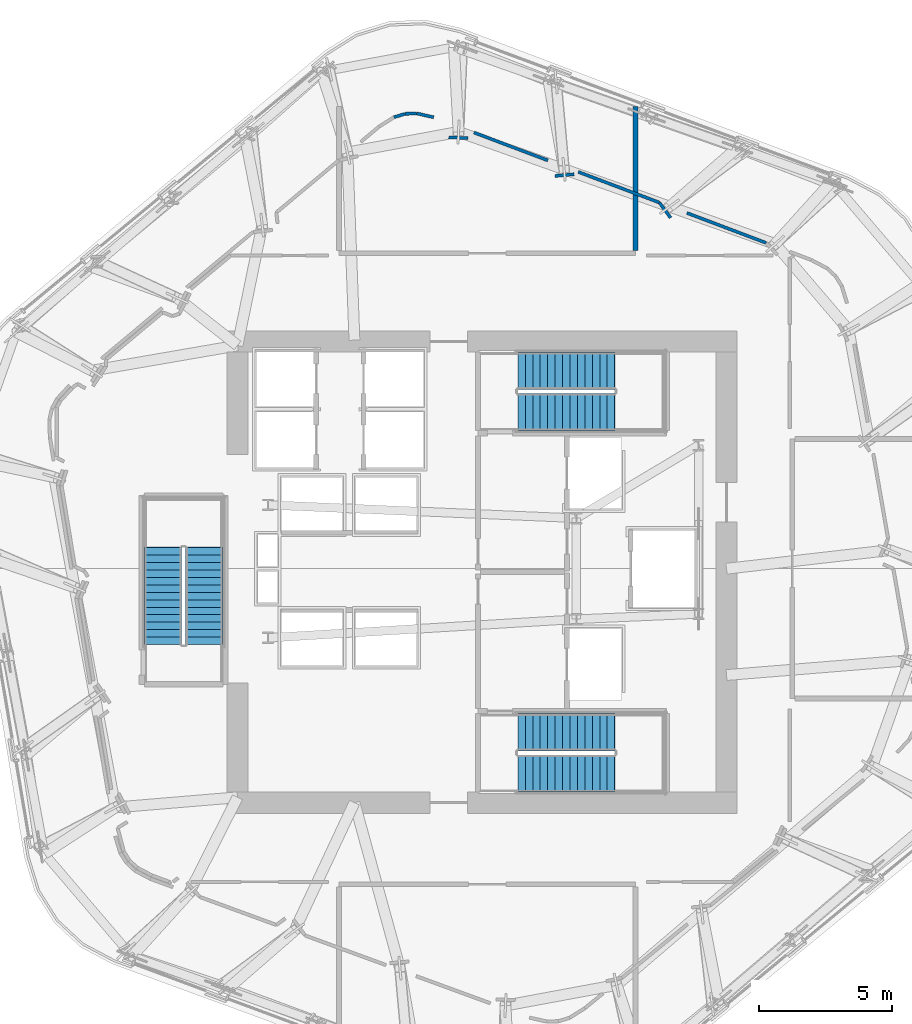
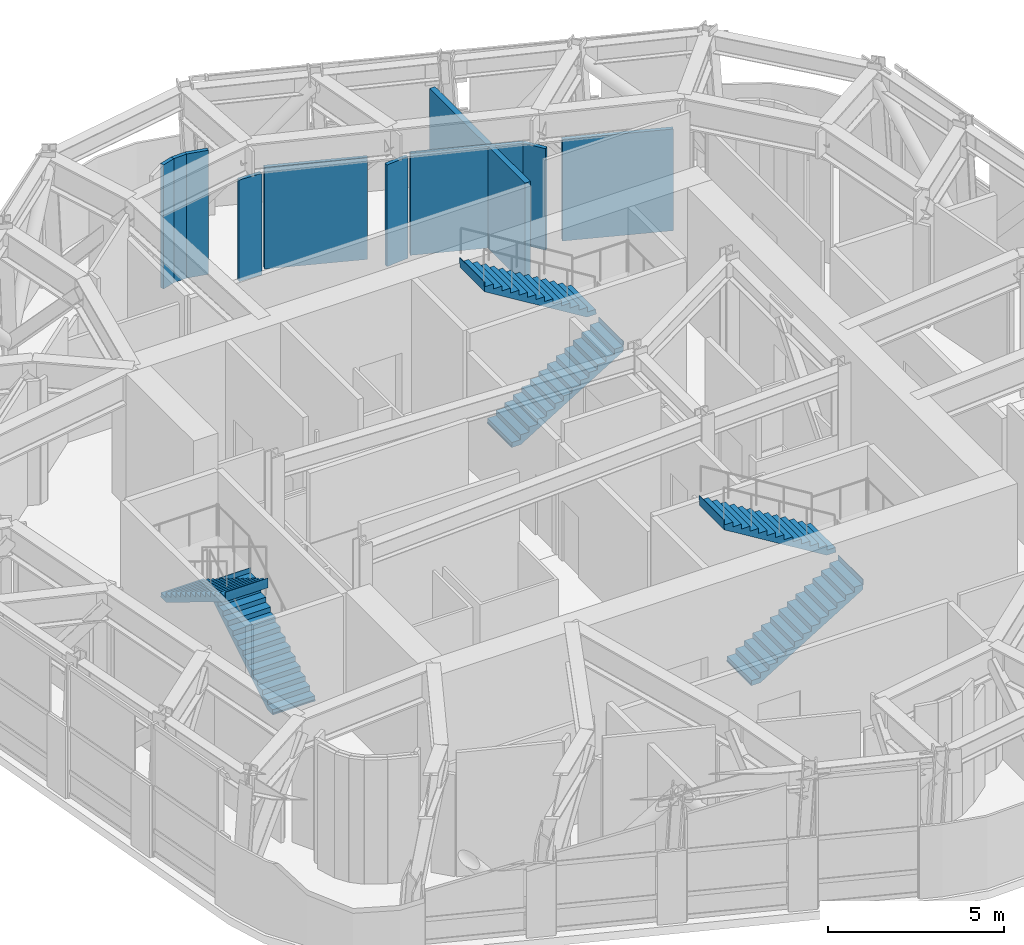
# One storey, part 12 of 16: 10 walls, 6 stair flights, 3 elements without a shape of their own.
"""IFC4 building model written with IfcOpenShell, lengths in metres."""

import ifcopenshell
import ifcopenshell.guid

model = None  # the IFC model being written
_history = None  # IfcOwnerHistory: only IFC2X3 demands one
_inside = {}  # id of a spatial element -> (the spatial element, [elements in it])
_under = {}  # id of a project, library or spatial element -> (it, [spatial elements below it])
_declared = {}  # id of a project -> (the project, [libraries it declares])
_typed = {}  # id of a type object -> (the type object, [elements of that type])
_made_of = {}  # id of a material, layer set ... -> (it, [elements and type objects made of it])


def new_model(schema):
    """Start an empty IFC model of exactly this schema.

    Asked for "IFC4X3", IfcOpenShell would pick the latest addendum, in which some entities
    have other attributes; the version numbers below select the first issue.
    IFC2X3 requires an IfcOwnerHistory on every rooted entity: one is made here for all.
    """
    global model, _history
    if schema == "IFC4X3":
        model = ifcopenshell.file(schema_version=(4, 3, 0, 0))
    else:
        model = ifcopenshell.file(schema=schema)
    _inside.clear()
    _under.clear()
    _declared.clear()
    _typed.clear()
    _made_of.clear()
    _history = None
    if model.schema == "IFC2X3":
        org = make("IfcOrganization", Name="unknown")
        user = make(
            "IfcPersonAndOrganization",
            ThePerson=make("IfcPerson", FamilyName="unknown"),
            TheOrganization=org,
        )
        app = make(
            "IfcApplication",
            ApplicationDeveloper=org,
            Version="unknown",
            ApplicationFullName="unknown",
            ApplicationIdentifier="unknown",
        )
        _history = make(
            "IfcOwnerHistory",
            OwningUser=user,
            OwningApplication=app,
            ChangeAction="ADDED",
            CreationDate=0,
        )
    return model


def make(cls, **values):
    """One entity of the class cls with the attributes given. An attribute that is None is left unset."""
    return model.create_entity(
        cls, **{name: value for name, value in values.items() if value is not None}
    )


def rooted(cls, **values):
    """An entity with a GlobalId (a new one), such as an element, a storey or a relation."""
    return make(cls, GlobalId=ifcopenshell.guid.new(), OwnerHistory=_history, **values)


def si_unit(unit_type, name, prefix=None):
    """IfcSIUnit, for example si_unit("LENGTHUNIT", "METRE", prefix="MILLI")."""
    return make("IfcSIUnit", UnitType=unit_type, Prefix=prefix, Name=name)


def assignment(units):
    """IfcUnitAssignment: the units of a project."""
    return None if units is None else make("IfcUnitAssignment", Units=units)


def point(xyz):
    """IfcCartesianPoint."""
    return None if xyz is None else make("IfcCartesianPoint", Coordinates=xyz)


def direction(xyz):
    """IfcDirection."""
    return None if xyz is None else make("IfcDirection", DirectionRatios=xyz)


def frame(location, z_axis=None, x_axis=None):
    """IfcAxis2Placement3D, a coordinate frame: its origin and axes. An axis left out is left unset."""
    return make(
        "IfcAxis2Placement3D",
        Location=point(location),
        Axis=direction(z_axis),
        RefDirection=direction(x_axis),
    )


def frame_2d(location, x_axis=None):
    """IfcAxis2Placement2D, a coordinate frame in the plane: its origin and x axis."""
    return make(
        "IfcAxis2Placement2D", Location=point(location), RefDirection=direction(x_axis)
    )


def origin():
    """The frame at (0, 0, 0) with its axes left unset."""
    return frame((0.0, 0.0, 0.0))


def place(relative_to, where):
    """IfcLocalPlacement: puts the frame where relative to a parent placement (None: the world)."""
    return make(
        "IfcLocalPlacement", PlacementRelTo=relative_to, RelativePlacement=where
    )


def context(
    kind, dimensions, precision=None, world=None, true_north=None, identifier=None
):
    """IfcGeometricRepresentationContext, for example the 3D "Model" context."""
    return make(
        "IfcGeometricRepresentationContext",
        ContextIdentifier=identifier,
        ContextType=kind,
        CoordinateSpaceDimension=dimensions,
        Precision=precision,
        WorldCoordinateSystem=world,
        TrueNorth=true_north,
    )


def subcontext(parent, identifier, kind, view, scale=None):
    """IfcGeometricRepresentationSubContext, for example "Body" below "Model"."""
    return make(
        "IfcGeometricRepresentationSubContext",
        ContextIdentifier=identifier,
        ContextType=kind,
        ParentContext=parent,
        TargetScale=scale,
        TargetView=view,
    )


def project(units=None, contexts=None):
    """IfcProject with its units and contexts."""
    return rooted(
        "IfcProject",
        Name="project",
        RepresentationContexts=contexts,
        UnitsInContext=assignment(units),
    )


def spatial(cls, under=None, at=None, **own):
    """A site, building, storey or space (cls), placed at a placement, below another one or the project."""
    s = rooted(cls, ObjectPlacement=at, **own)
    if under is not None:
        _under.setdefault(under.id(), (under, []))[1].append(s)
    return s


def polyline(points):
    """IfcPolyline through the points."""
    return make("IfcPolyline", Points=[point(p) for p in points])


def profile(cls, at=None, kind="AREA", **sizes):
    """A parametric profile (cls). Its sizes go by their IFC names, for example OverallWidth=200.0."""
    return make(cls, ProfileType=kind, Position=at, **sizes)


def rectangle(**sizes):
    """IfcRectangleProfileDef."""
    return profile("IfcRectangleProfileDef", **sizes)


def outline(outer, holes=None, kind="AREA"):
    """IfcArbitraryClosedProfileDef: a profile drawn as a closed curve; with holes, ...WithVoids."""
    if holes is None:
        return make("IfcArbitraryClosedProfileDef", ProfileType=kind, OuterCurve=outer)
    return make(
        "IfcArbitraryProfileDefWithVoids",
        ProfileType=kind,
        OuterCurve=outer,
        InnerCurves=holes,
    )


def extrude(swept, where, along, depth):
    """IfcExtrudedAreaSolid: the profile swept, set in the frame where, extruded along a direction by depth."""
    return make(
        "IfcExtrudedAreaSolid",
        SweptArea=swept,
        Position=where,
        ExtrudedDirection=direction(along),
        Depth=depth,
    )


def shape(context_of_items, identifier, shape_type, items):
    """IfcShapeRepresentation: the items that make up one representation, for example the "Body"."""
    return make(
        "IfcShapeRepresentation",
        ContextOfItems=context_of_items,
        RepresentationIdentifier=identifier,
        RepresentationType=shape_type,
        Items=items,
    )


def material(Name=None, Category=None):
    """IfcMaterial."""
    return make("IfcMaterial", Name=Name, Category=Category)


def layer(
    of_material, thickness, ventilated=None, Name=None, Category=None, Priority=None
):
    """IfcMaterialLayer: one layer of a wall or slab, of a material (None: an air gap)."""
    return make(
        "IfcMaterialLayer",
        Material=of_material,
        LayerThickness=thickness,
        IsVentilated=ventilated,
        Name=Name,
        Category=Category,
        Priority=Priority,
    )


def layer_set(layers, Name=None):
    """IfcMaterialLayerSet."""
    return make("IfcMaterialLayerSet", MaterialLayers=layers, LayerSetName=Name)


def made_of(thing, what):
    """Note that an element or type object is made of a material, layer set ...; save() writes the relation."""
    if what is not None:
        _made_of.setdefault(what.id(), (what, []))[1].append(thing)
    return thing


def type_object(cls, material=None, **own):
    """A type object (cls), such as IfcWallType, which elements share."""
    return made_of(rooted(cls, **own), material)


def element(
    cls,
    number,
    at=None,
    inside=None,
    cuts=None,
    type_object=None,
    material=None,
    context=None,
    identifier="Body",
    shape_type=None,
    held_by="IfcProductDefinitionShape",
    body=None,
    shapes=None,
    **own,
):
    """One element of the class cls, such as IfcWall. Its Tag is "e" and its number.

    at: its placement. inside: the storey or other place that contains it. cuts: it is an
    opening in that element (IfcRelVoidsElement). A single representation is given by context,
    identifier, shape_type and body (its items); several are given by shapes. held_by: the class
    of the entity that holds the representations. save() writes the other relations.
    """
    e = rooted(cls, Tag="e%d" % number, ObjectPlacement=at, **own)
    if body is not None:
        shapes = [shape(context, identifier, shape_type, body)]
    if shapes is not None:
        e.Representation = make(held_by, Representations=shapes)
    if inside is not None:
        _inside.setdefault(inside.id(), (inside, []))[1].append(e)
    if cuts is not None:
        rooted(
            "IfcRelVoidsElement", RelatingBuildingElement=cuts, RelatedOpeningElement=e
        )
    if type_object is not None:
        _typed.setdefault(type_object.id(), (type_object, []))[1].append(e)
    return made_of(e, material)


def aggregate(whole, parts):
    """IfcRelAggregates: a whole, such as a stair, and the parts it consists of."""
    return rooted("IfcRelAggregates", RelatingObject=whole, RelatedObjects=parts)


def save(model, path):
    """Write the relations noted so far, then the file.

    IfcRelAggregates (storeys below a building ...), IfcRelContainedInSpatialStructure (elements
    in a storey), IfcRelDefinesByType, IfcRelAssociatesMaterial and IfcRelDeclares: one each for
    every whole, place, type object, material and project.
    """
    for whole, parts in _under.values():
        aggregate(whole, parts)
    for where, things in _inside.values():
        rooted(
            "IfcRelContainedInSpatialStructure",
            RelatedElements=things,
            RelatingStructure=where,
        )
    for kind, things in _typed.values():
        rooted("IfcRelDefinesByType", RelatedObjects=things, RelatingType=kind)
    for what, things in _made_of.values():
        rooted("IfcRelAssociatesMaterial", RelatedObjects=things, RelatingMaterial=what)
    for by, libraries in _declared.values():
        rooted("IfcRelDeclares", RelatingContext=by, RelatedDefinitions=libraries)
    model.write(path)


model = new_model("IFC4")

# Units and contexts
model_context = context("Model", 3, precision=1e-05, world=origin(), true_north=direction((0.0, 1.0)))
body_context = subcontext(model_context, "Body", "Model", "MODEL_VIEW")
ifc_project = project(units=[si_unit("LENGTHUNIT", "METRE"), si_unit("AREAUNIT", "SQUARE_METRE"), si_unit("VOLUMEUNIT", "CUBIC_METRE"), si_unit("PLANEANGLEUNIT", "RADIAN"), si_unit("MASSUNIT", "GRAM", prefix="KILO")], contexts=[model_context])

# Site, building, storey
site_placement = place(None, origin())
site = spatial("IfcSite", under=ifc_project, at=site_placement, CompositionType="ELEMENT")
building_placement = place(site_placement, origin())
building = spatial("IfcBuilding", under=site, at=building_placement, Name="Valkerne Bourse Tower", CompositionType="ELEMENT")
storey_placement = place(building_placement, frame((0.0, 0.0, 193.199951171875)))
storey = spatial("IfcBuildingStorey", under=building, at=storey_placement, Name="L49", CompositionType="ELEMENT", Elevation=193.199951171875)

# Walls
ifc_material_1 = material(Name="Gypsum Board Steel-Stud Partition", Category="steel")
ifc_layer_1 = layer(ifc_material_1, 0.117919921875)
ifc_layer_set_1 = layer_set([ifc_layer_1], Name="Gypsum Board Steel-Stud Partition")
wall_type_1 = type_object("IfcWallType", Name="W-CORR-140", PredefinedType="PARTITIONING", material=ifc_layer_set_1)
wall_1_placement = place(storey_placement, frame((43.488525390625, 43.9873046875, 0.0), z_axis=(0.0, 0.0, 1.0), x_axis=(0.955766894646, 0.294125216699, 0.0)))
element("IfcWall", 1, at=wall_1_placement, inside=storey, type_object=wall_type_1, Name="L49 L49 Outrigger Truss Gallery Ring Wall", PredefinedType="PARTITIONING", context=body_context, shape_type="SweptSolid", body=[
    extrude(rectangle(XDim=0.435791015625, YDim=0.117919921875, at=frame_2d((0.2177734375, 0.0))), origin(), (0.0, 0.0, 1.0), 4.300048828125),
])
wall_2_placement = place(storey_placement, frame((43.905029296875, 44.115478515625, 0.0), z_axis=(0.0, 0.0, 1.0), x_axis=(0.999317132555, 0.036949541036, 0.0)))
element("IfcWall", 2, at=wall_2_placement, inside=storey, type_object=wall_type_1, Name="L49 L49 Outrigger Truss Gallery Ring Wall", PredefinedType="PARTITIONING", context=body_context, shape_type="SweptSolid", body=[
    extrude(rectangle(XDim=0.43603515625, YDim=0.117919921875, at=frame_2d((0.218017578125, 0.0))), origin(), (0.0, 0.0, 1.0), 4.300048828125),
])
wall_3_placement = place(storey_placement, frame((44.3408203125, 44.131591796875, 0.0), z_axis=(0.0, 0.0, 1.0), x_axis=(0.974752504308, -0.22328805464, 0.0)))
element("IfcWall", 3, at=wall_3_placement, inside=storey, type_object=wall_type_1, Name="L49 L49 Outrigger Truss Gallery Ring Wall", PredefinedType="PARTITIONING", context=body_context, shape_type="SweptSolid", body=[
    extrude(rectangle(XDim=0.658203125, YDim=0.117919921875, at=frame_2d((0.3291015625, 0.0))), origin(), (0.0, 0.0, 1.0), 4.300048828125),
])
wall_4_placement = place(storey_placement, frame((45.548583984375, 43.231689453125, 0.0), z_axis=(0.0, 0.0, 1.0), x_axis=(0.999072715979, -0.043054711547, 0.0)))
element("IfcWall", 4, at=wall_4_placement, inside=storey, type_object=wall_type_1, Name="L49 L49 Outrigger Truss Gallery Ring Wall", PredefinedType="PARTITIONING", context=body_context, shape_type="SweptSolid", body=[
    extrude(rectangle(XDim=0.72021484375, YDim=0.117919921875, at=frame_2d((0.360107421875, 0.0))), origin(), (0.0, 0.0, 1.0), 3.523193359375),
])
wall_5_placement = place(storey_placement, frame((46.497314453125, 43.412109375, 0.0), z_axis=(0.0, 0.0, 1.0), x_axis=(0.935475113206, -0.353392575718, 0.0)))
element("IfcWall", 5, at=wall_5_placement, inside=storey, type_object=wall_type_1, Name="L49 L49 Outrigger Truss Gallery Ring Wall", PredefinedType="PARTITIONING", context=body_context, shape_type="SweptSolid", body=[
    extrude(rectangle(XDim=2.969970703125, YDim=0.117919921875, at=frame_2d((1.48486328125, 0.0))), origin(), (0.0, 0.0, 1.0), 3.523193359375),
])
wall_6_placement = place(storey_placement, frame((49.549560546875, 41.7783203125, 0.0), z_axis=(0.0, 0.0, 1.0), x_axis=(0.995893206468, 0.090535746043, 0.0)))
element("IfcWall", 6, at=wall_6_placement, inside=storey, type_object=wall_type_1, Name="L49 L49 Outrigger Truss Gallery Ring Wall", PredefinedType="PARTITIONING", context=body_context, shape_type="SweptSolid", body=[
    extrude(rectangle(XDim=0.719970703125, YDim=0.117919921875, at=frame_2d((0.35986328125, 0.0))), origin(), (0.0, 0.0, 1.0), 3.523193359375),
])
wall_7_placement = place(storey_placement, frame((50.421630859375, 41.9296875, 0.0), z_axis=(0.0, 0.0, 1.0), x_axis=(0.935470993531, -0.353403480828, 0.0)))
element("IfcWall", 7, at=wall_7_placement, inside=storey, type_object=wall_type_1, Name="L49 L49 Outrigger Truss Gallery Ring Wall", PredefinedType="PARTITIONING", context=body_context, shape_type="SweptSolid", body=[
    extrude(rectangle(XDim=3.2607421875, YDim=0.117919921875, at=frame_2d((1.63037109375, 0.0))), origin(), (0.0, 0.0, 1.0), 3.523193359375),
])
wall_8_placement = place(storey_placement, frame((53.471923828125, 40.77734375, 0.0), z_axis=(0.0, 0.0, 1.0), x_axis=(0.59395782002, -0.804496182736, 0.0)))
element("IfcWall", 8, at=wall_8_placement, inside=storey, type_object=wall_type_1, Name="L49 L49 Outrigger Truss Gallery Ring Wall", PredefinedType="PARTITIONING", context=body_context, shape_type="SweptSolid", body=[
    extrude(rectangle(XDim=0.713134765625, YDim=0.117919921875, at=frame_2d((0.3564453125, 0.0))), origin(), (0.0, 0.0, 1.0), 3.523193359375),
])
wall_9_placement = place(storey_placement, frame((54.510986328125, 40.384765625, 0.0), z_axis=(0.0, 0.0, 1.0), x_axis=(0.935470969232, -0.35340354515, 0.0)))
element("IfcWall", 9, at=wall_9_placement, inside=storey, type_object=wall_type_1, Name="L49 L49 Outrigger Truss Gallery Ring Wall", PredefinedType="PARTITIONING", context=body_context, shape_type="SweptSolid", body=[
    extrude(rectangle(XDim=3.190185546875, YDim=0.117919921875, at=frame_2d((1.59521484375, 0.0))), origin(), (0.0, 0.0, 1.0), 3.523193359375),
])
ifc_material_2 = material(Name="Gypsum Fire-Rated Shaftwall", Category="gypsum")
ifc_layer_2 = layer(ifc_material_2, 0.179931640625)
ifc_layer_set_2 = layer_set([ifc_layer_2], Name="Gypsum Fire-Rated Shaftwall")
wall_type_2 = type_object("IfcWallType", Name="W-FSAE-180", PredefinedType="PARTITIONING", material=ifc_layer_set_2)
wall_10_placement = place(storey_placement, frame((52.580078125, 38.97998046875, 0.0), z_axis=(0.0, 0.0, 1.0), x_axis=(0.0, 1.0, 0.0)))
element("IfcWall", 10, at=wall_10_placement, inside=storey, type_object=wall_type_2, Name="L49 L49 North Sky Refuge East Wall", PredefinedType="PARTITIONING", context=body_context, shape_type="SweptSolid", body=[
    extrude(rectangle(XDim=5.419921875, YDim=0.179931640625, at=frame_2d((2.7099609375, 0.0))), origin(), (0.0, 0.0, 1.0), 3.523193359375),
])

# Stair, stair flights
ifc_material_3 = material(Name="Concrete C40/50", Category="concrete")
stair_type = type_object("IfcStairType", Name="ST-CORE-1400", PredefinedType="HALF_TURN_STAIR", material=ifc_material_3)
stair_1_placement = place(storey_placement, origin())
stair_1 = element("IfcStair", 11, at=stair_1_placement, inside=storey, type_object=stair_type, Name="L49 ST-1", PredefinedType="HALF_TURN_STAIR")
stair_flight_type = type_object("IfcStairFlightType", Name="STF-CORE-1400", PredefinedType="STRAIGHT", material=ifc_material_3)
stair_flight_1_placement = place(storey_placement, frame((48.14990234375, 19.300048828125, 0.0), z_axis=(0.0, 0.0, 1.0), x_axis=(1.0, 0.0, 0.0)))
stair_flight_1 = element("IfcStairFlight", 12, at=stair_flight_1_placement, type_object=stair_flight_type, Name="ST-1 flight 1", NumberOfRisers=14, NumberOfTreads=13, PredefinedType="STRAIGHT", RiserHeight=0.171428571, TreadLength=0.28, context=body_context, shape_type="SweptSolid", body=[
    extrude(outline(polyline([(-0.02001953125, 0.0), (-0.02001953125, 0.044921875), (0.0, 0.044921875), (0.0, 0.17138671875), (0.280029296875, 0.17138671875), (0.280029296875, 0.3427734375), (0.56005859375, 0.3427734375), (0.56005859375, 0.514404296875), (0.840087890625, 0.514404296875), (0.840087890625, 0.685791015625), (1.1201171875, 0.685791015625), (1.1201171875, 0.857177734375), (1.39990234375, 0.857177734375), (1.39990234375, 1.028564453125), (1.679931640625, 1.028564453125), (1.679931640625, 1.199951171875), (1.9599609375, 1.199951171875), (1.9599609375, 1.371337890625), (2.239990234375, 1.371337890625), (2.239990234375, 1.54296875), (2.52001953125, 1.54296875), (2.52001953125, 1.71435546875), (2.800048828125, 1.71435546875), (2.800048828125, 1.8857421875), (3.080078125, 1.8857421875), (3.080078125, 2.05712890625), (3.360107421875, 2.05712890625), (3.360107421875, 2.228515625), (3.639892578125, 2.228515625), (3.639892578125, 2.39990234375), (3.659912109375, 2.39990234375), (3.659912109375, 2.280029296875), (3.639892578125, 2.052734375), (0.287109375, 0.0), (-0.02001953125, 0.0)])), frame((0.0, 0.699951171875, 0.0), z_axis=(0.0, -1.0, 0.0), x_axis=(1.0, 0.0, 0.0)), (0.0, 0.0, 1.0), 1.39990234375),
])
stair_flight_2_placement = place(storey_placement, frame((51.7900390625, 20.85009765625, 2.400146484375), z_axis=(0.0, 0.0, 1.0), x_axis=(-1.0, 0.0, 0.0)))
stair_flight_2 = element("IfcStairFlight", 13, at=stair_flight_2_placement, type_object=stair_flight_type, Name="ST-1 flight 2", NumberOfRisers=14, NumberOfTreads=13, PredefinedType="STRAIGHT", RiserHeight=0.171428571, TreadLength=0.28, context=body_context, shape_type="SweptSolid", body=[
    extrude(outline(polyline([(-0.02001953125, 0.0), (-0.02001953125, 0.044921875), (0.0, 0.044921875), (0.0, 0.17138671875), (0.280029296875, 0.17138671875), (0.280029296875, 0.3427734375), (0.56005859375, 0.3427734375), (0.56005859375, 0.514404296875), (0.840087890625, 0.514404296875), (0.840087890625, 0.685791015625), (1.1201171875, 0.685791015625), (1.1201171875, 0.857177734375), (1.39990234375, 0.857177734375), (1.39990234375, 1.028564453125), (1.679931640625, 1.028564453125), (1.679931640625, 1.199951171875), (1.9599609375, 1.199951171875), (1.9599609375, 1.371337890625), (2.239990234375, 1.371337890625), (2.239990234375, 1.54296875), (2.52001953125, 1.54296875), (2.52001953125, 1.71435546875), (2.800048828125, 1.71435546875), (2.800048828125, 1.8857421875), (3.080078125, 1.8857421875), (3.080078125, 2.05712890625), (3.360107421875, 2.05712890625), (3.360107421875, 2.228515625), (3.639892578125, 2.228515625), (3.639892578125, 2.39990234375), (3.659912109375, 2.39990234375), (3.659912109375, 2.280029296875), (3.639892578125, 2.052734375), (0.287109375, 0.0), (-0.02001953125, 0.0)])), frame((0.0, 0.699951171875, 0.0), z_axis=(0.0, -1.0, 0.0), x_axis=(1.0, 0.0, 0.0)), (0.0, 0.0, 1.0), 1.39990234375),
])
aggregate(stair_1, [stair_flight_1, stair_flight_2])

stair_2_placement = place(storey_placement, origin())
stair_2 = element("IfcStair", 14, at=stair_2_placement, inside=storey, type_object=stair_type, Name="L49 ST-2", PredefinedType="HALF_TURN_STAIR")
stair_flight_3_placement = place(storey_placement, frame((48.14990234375, 32.89990234375, 0.0), z_axis=(0.0, 0.0, 1.0), x_axis=(1.0, 0.0, 0.0)))
stair_flight_3 = element("IfcStairFlight", 15, at=stair_flight_3_placement, type_object=stair_flight_type, Name="ST-2 flight 1", NumberOfRisers=14, NumberOfTreads=13, PredefinedType="STRAIGHT", RiserHeight=0.171428571, TreadLength=0.28, context=body_context, shape_type="SweptSolid", body=[
    extrude(outline(polyline([(-0.02001953125, 0.0), (-0.02001953125, 0.044921875), (0.0, 0.044921875), (0.0, 0.17138671875), (0.280029296875, 0.17138671875), (0.280029296875, 0.3427734375), (0.56005859375, 0.3427734375), (0.56005859375, 0.514404296875), (0.840087890625, 0.514404296875), (0.840087890625, 0.685791015625), (1.1201171875, 0.685791015625), (1.1201171875, 0.857177734375), (1.39990234375, 0.857177734375), (1.39990234375, 1.028564453125), (1.679931640625, 1.028564453125), (1.679931640625, 1.199951171875), (1.9599609375, 1.199951171875), (1.9599609375, 1.371337890625), (2.239990234375, 1.371337890625), (2.239990234375, 1.54296875), (2.52001953125, 1.54296875), (2.52001953125, 1.71435546875), (2.800048828125, 1.71435546875), (2.800048828125, 1.8857421875), (3.080078125, 1.8857421875), (3.080078125, 2.05712890625), (3.360107421875, 2.05712890625), (3.360107421875, 2.228515625), (3.639892578125, 2.228515625), (3.639892578125, 2.39990234375), (3.659912109375, 2.39990234375), (3.659912109375, 2.280029296875), (3.639892578125, 2.052734375), (0.287109375, 0.0), (-0.02001953125, 0.0)])), frame((0.0, 0.699951171875, 0.0), z_axis=(0.0, -1.0, 0.0), x_axis=(1.0, 0.0, 0.0)), (0.0, 0.0, 1.0), 1.39990234375),
])
stair_flight_4_placement = place(storey_placement, frame((51.7900390625, 34.449951171875, 2.400146484375), z_axis=(0.0, 0.0, 1.0), x_axis=(-1.0, 0.0, 0.0)))
stair_flight_4 = element("IfcStairFlight", 16, at=stair_flight_4_placement, type_object=stair_flight_type, Name="ST-2 flight 2", NumberOfRisers=14, NumberOfTreads=13, PredefinedType="STRAIGHT", RiserHeight=0.171428571, TreadLength=0.28, context=body_context, shape_type="SweptSolid", body=[
    extrude(outline(polyline([(-0.02001953125, 0.0), (-0.02001953125, 0.044921875), (0.0, 0.044921875), (0.0, 0.17138671875), (0.280029296875, 0.17138671875), (0.280029296875, 0.3427734375), (0.56005859375, 0.3427734375), (0.56005859375, 0.514404296875), (0.840087890625, 0.514404296875), (0.840087890625, 0.685791015625), (1.1201171875, 0.685791015625), (1.1201171875, 0.857177734375), (1.39990234375, 0.857177734375), (1.39990234375, 1.028564453125), (1.679931640625, 1.028564453125), (1.679931640625, 1.199951171875), (1.9599609375, 1.199951171875), (1.9599609375, 1.371337890625), (2.239990234375, 1.371337890625), (2.239990234375, 1.54296875), (2.52001953125, 1.54296875), (2.52001953125, 1.71435546875), (2.800048828125, 1.71435546875), (2.800048828125, 1.8857421875), (3.080078125, 1.8857421875), (3.080078125, 2.05712890625), (3.360107421875, 2.05712890625), (3.360107421875, 2.228515625), (3.639892578125, 2.228515625), (3.639892578125, 2.39990234375), (3.659912109375, 2.39990234375), (3.659912109375, 2.280029296875), (3.639892578125, 2.052734375), (0.287109375, 0.0), (-0.02001953125, 0.0)])), frame((0.0, 0.699951171875, 0.0), z_axis=(0.0, -1.0, 0.0), x_axis=(1.0, 0.0, 0.0)), (0.0, 0.0, 1.0), 1.39990234375),
])
aggregate(stair_2, [stair_flight_3, stair_flight_4])

stair_3_placement = place(storey_placement, origin())
stair_3 = element("IfcStair", 17, at=stair_3_placement, inside=storey, type_object=stair_type, Name="L49 ST-3", PredefinedType="HALF_TURN_STAIR")
stair_flight_5_placement = place(storey_placement, frame((36.35009765625, 24.14990234375, 0.0), z_axis=(0.0, 0.0, 1.0), x_axis=(0.0, 1.0, 0.0)))
stair_flight_5 = element("IfcStairFlight", 18, at=stair_flight_5_placement, type_object=stair_flight_type, Name="ST-3 flight 1", NumberOfRisers=14, NumberOfTreads=13, PredefinedType="STRAIGHT", RiserHeight=0.171428571, TreadLength=0.28, context=body_context, shape_type="SweptSolid", body=[
    extrude(outline(polyline([(-0.02001953125, 0.0), (-0.02001953125, 0.044921875), (0.0, 0.044921875), (0.0, 0.17138671875), (0.280029296875, 0.17138671875), (0.280029296875, 0.3427734375), (0.56005859375, 0.3427734375), (0.56005859375, 0.514404296875), (0.840087890625, 0.514404296875), (0.840087890625, 0.685791015625), (1.1201171875, 0.685791015625), (1.1201171875, 0.857177734375), (1.39990234375, 0.857177734375), (1.39990234375, 1.028564453125), (1.679931640625, 1.028564453125), (1.679931640625, 1.199951171875), (1.9599609375, 1.199951171875), (1.9599609375, 1.371337890625), (2.239990234375, 1.371337890625), (2.239990234375, 1.54296875), (2.52001953125, 1.54296875), (2.52001953125, 1.71435546875), (2.800048828125, 1.71435546875), (2.800048828125, 1.8857421875), (3.080078125, 1.8857421875), (3.080078125, 2.05712890625), (3.360107421875, 2.05712890625), (3.360107421875, 2.228515625), (3.639892578125, 2.228515625), (3.639892578125, 2.39990234375), (3.659912109375, 2.39990234375), (3.659912109375, 2.280029296875), (3.639892578125, 2.052734375), (0.287109375, 0.0), (-0.02001953125, 0.0)])), frame((0.0, 0.699951171875, 0.0), z_axis=(0.0, -1.0, 0.0), x_axis=(1.0, 0.0, 0.0)), (0.0, 0.0, 1.0), 1.39990234375),
])
stair_flight_6_placement = place(storey_placement, frame((34.800048828125, 27.7900390625, 2.400146484375), z_axis=(0.0, 0.0, 1.0), x_axis=(0.0, -1.0, 0.0)))
stair_flight_6 = element("IfcStairFlight", 19, at=stair_flight_6_placement, type_object=stair_flight_type, Name="ST-3 flight 2", NumberOfRisers=14, NumberOfTreads=13, PredefinedType="STRAIGHT", RiserHeight=0.171428571, TreadLength=0.28, context=body_context, shape_type="SweptSolid", body=[
    extrude(outline(polyline([(-0.02001953125, 0.0), (-0.02001953125, 0.044921875), (0.0, 0.044921875), (0.0, 0.17138671875), (0.280029296875, 0.17138671875), (0.280029296875, 0.3427734375), (0.56005859375, 0.3427734375), (0.56005859375, 0.514404296875), (0.840087890625, 0.514404296875), (0.840087890625, 0.685791015625), (1.1201171875, 0.685791015625), (1.1201171875, 0.857177734375), (1.39990234375, 0.857177734375), (1.39990234375, 1.028564453125), (1.679931640625, 1.028564453125), (1.679931640625, 1.199951171875), (1.9599609375, 1.199951171875), (1.9599609375, 1.371337890625), (2.239990234375, 1.371337890625), (2.239990234375, 1.54296875), (2.52001953125, 1.54296875), (2.52001953125, 1.71435546875), (2.800048828125, 1.71435546875), (2.800048828125, 1.8857421875), (3.080078125, 1.8857421875), (3.080078125, 2.05712890625), (3.360107421875, 2.05712890625), (3.360107421875, 2.228515625), (3.639892578125, 2.228515625), (3.639892578125, 2.39990234375), (3.659912109375, 2.39990234375), (3.659912109375, 2.280029296875), (3.639892578125, 2.052734375), (0.287109375, 0.0), (-0.02001953125, 0.0)])), frame((0.0, 0.699951171875, 0.0), z_axis=(0.0, -1.0, 0.0), x_axis=(1.0, 0.0, 0.0)), (0.0, 0.0, 1.0), 1.39990234375),
])
aggregate(stair_3, [stair_flight_5, stair_flight_6])

save(model, "model.ifc")
